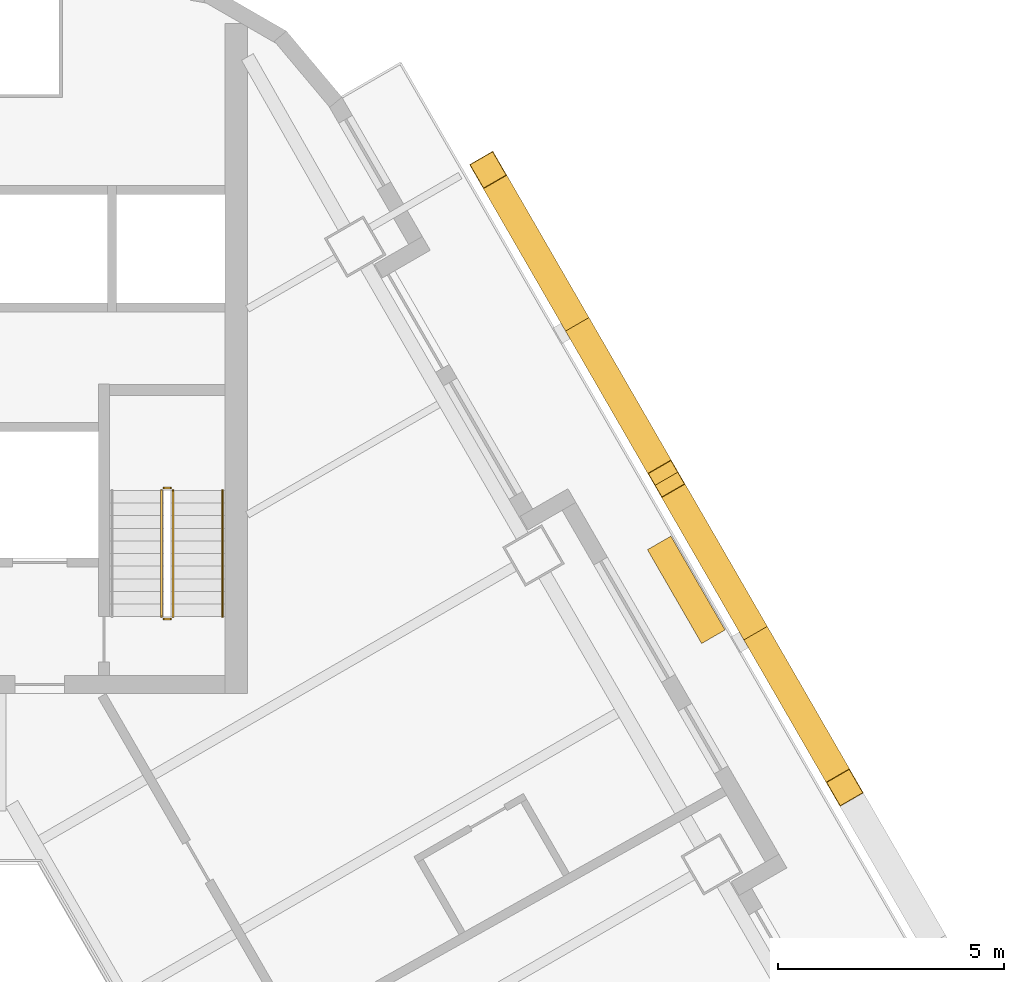
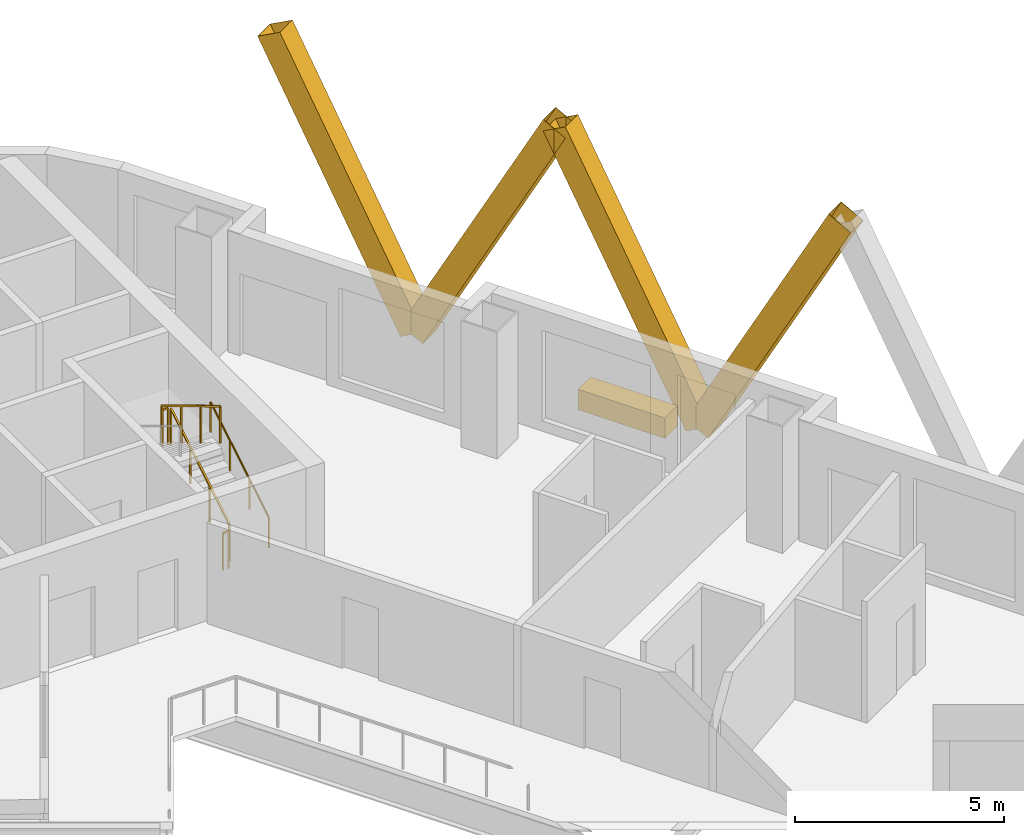
# One storey, part 14 of 14: 5 railings, 4 shading devices, 1 covering.
"""IFC4 building model written with IfcOpenShell, lengths in metres."""

from ifc_helpers import new_model, si_unit, direction, frame, origin, origin_2d, place, context, subcontext, project, spatial, rectangle, hollow_rectangle, circle, extrude, material, material_profile, profile_set, type_object, element, save


model = new_model("IFC4")

# Units and contexts
model_context = context("Model", 3, precision=1e-05, world=origin(), true_north=direction((0.0, 1.0)))
body_context = subcontext(model_context, "Body", "Model", "MODEL_VIEW")
ifc_project = project(units=[si_unit("LENGTHUNIT", "METRE"), si_unit("AREAUNIT", "SQUARE_METRE"), si_unit("VOLUMEUNIT", "CUBIC_METRE"), si_unit("PLANEANGLEUNIT", "RADIAN"), si_unit("MASSUNIT", "GRAM", prefix="KILO")], contexts=[model_context])

# Site, building, storey
site_placement = place(None, origin())
site = spatial("IfcSite", under=ifc_project, at=site_placement, CompositionType="ELEMENT")
building_placement = place(site_placement, origin())
building = spatial("IfcBuilding", under=site, at=building_placement, Name="Apuvela Tower Hotel", CompositionType="ELEMENT")
storey_placement = place(building_placement, frame((0.0, 0.0, 53.89990234375)))
storey = spatial("IfcBuildingStorey", under=building, at=storey_placement, Name="L10", CompositionType="ELEMENT", Elevation=53.89990234375)

# Railings
ifc_material_1 = material(Name="Steel S275 balustrade", Category="steel")
railing_type_1 = type_object("IfcRailingType", Name="COR-GUARD-1100", PredefinedType="GUARDRAIL", material=ifc_material_1)
railing_1_placement = place(storey_placement, frame((3.85009765625, 14.60009765625, 0.168212890625)))
element("IfcRailing", 1, at=railing_1_placement, inside=storey, type_object=railing_type_1, Name="L10 ST1 stair guard 1", PredefinedType="GUARDRAIL", context=body_context, shape_type="SweptSolid", body=[
    extrude(rectangle(XDim=0.048095703125, YDim=0.048095703125, at=origin_2d()), frame((0.0, 0.0, 1.076171875), z_axis=(0.0, 0.857222391501, 0.514946377315), x_axis=(-1.0, 0.0, 0.0)), (0.0, 0.0, 1.0), 3.26611328125),
    extrude(rectangle(XDim=0.0419921875, YDim=0.0419921875, at=origin_2d()), origin(), (0.0, 0.0, 1.0), 1.052001953125),
    extrude(rectangle(XDim=0.0419921875, YDim=0.0419921875, at=origin_2d()), frame((0.0, 0.933349609375, 0.560546875)), (0.0, 0.0, 1.0), 1.052001953125),
    extrude(rectangle(XDim=0.0419921875, YDim=0.0419921875, at=origin_2d()), frame((0.0, 1.866455078125, 1.121337890625)), (0.0, 0.0, 1.0), 1.052001953125),
    extrude(rectangle(XDim=0.0419921875, YDim=0.0419921875, at=origin_2d()), frame((0.0, 2.7998046875, 1.681884765625)), (0.0, 0.0, 1.0), 1.052001953125),
])
railing_2_placement = place(storey_placement, frame((3.800048828125, 17.449951171875, 1.85009765625)))
element("IfcRailing", 2, at=railing_2_placement, inside=storey, type_object=railing_type_1, Name="L10 ST1 stair guard 2", PredefinedType="GUARDRAIL", context=body_context, shape_type="SweptSolid", body=[
    extrude(rectangle(XDim=0.048095703125, YDim=0.048095703125, at=origin_2d()), frame((0.0, 0.0, 1.076171875), z_axis=(-1.0, 0.0, 0.0), x_axis=(0.0, -1.0, 0.0)), (0.0, 0.0, 1.0), 0.150146484375),
    extrude(rectangle(XDim=0.0419921875, YDim=0.0419921875, at=origin_2d()), origin(), (0.0, 0.0, 1.0), 1.052001953125),
    extrude(rectangle(XDim=0.0419921875, YDim=0.0419921875, at=origin_2d()), frame((-0.150146484375, 0.0, 0.0)), (0.0, 0.0, 1.0), 1.052001953125),
])
railing_3_placement = place(storey_placement, frame((3.60009765625, 17.39990234375, 2.018310546875)))
element("IfcRailing", 3, at=railing_3_placement, inside=storey, type_object=railing_type_1, Name="L10 ST1 stair guard 3", PredefinedType="GUARDRAIL", context=body_context, shape_type="SweptSolid", body=[
    extrude(rectangle(XDim=0.048095703125, YDim=0.048095703125, at=origin_2d()), frame((0.0, 0.0, 1.076171875), z_axis=(0.0, -0.857222391501, 0.514946377315), x_axis=(1.0, 0.0, 0.0)), (0.0, 0.0, 1.0), 3.26611328125),
    extrude(rectangle(XDim=0.0419921875, YDim=0.0419921875, at=origin_2d()), origin(), (0.0, 0.0, 1.0), 1.052001953125),
    extrude(rectangle(XDim=0.0419921875, YDim=0.0419921875, at=origin_2d()), frame((0.0, -0.933349609375, 0.560546875)), (0.0, 0.0, 1.0), 1.052001953125),
    extrude(rectangle(XDim=0.0419921875, YDim=0.0419921875, at=origin_2d()), frame((0.0, -1.866455078125, 1.121337890625)), (0.0, 0.0, 1.0), 1.052001953125),
    extrude(rectangle(XDim=0.0419921875, YDim=0.0419921875, at=origin_2d()), frame((0.0, -2.7998046875, 1.681884765625)), (0.0, 0.0, 1.0), 1.052001953125),
])
railing_4_placement = place(storey_placement, frame((3.800048828125, 14.550048828125, 0.0)))
element("IfcRailing", 4, at=railing_4_placement, inside=storey, type_object=railing_type_1, Name="L10 ST1 stair guard 4", PredefinedType="GUARDRAIL", context=body_context, shape_type="SweptSolid", body=[
    extrude(rectangle(XDim=0.048095703125, YDim=0.048095703125, at=origin_2d()), frame((0.0, 0.0, 1.076171875), z_axis=(-1.0, 0.0, 0.0), x_axis=(0.0, -1.0, 0.0)), (0.0, 0.0, 1.0), 0.150146484375),
    extrude(rectangle(XDim=0.0419921875, YDim=0.0419921875, at=origin_2d()), origin(), (0.0, 0.0, 1.0), 1.052001953125),
    extrude(rectangle(XDim=0.0419921875, YDim=0.0419921875, at=origin_2d()), frame((-0.150146484375, 0.0, 0.0)), (0.0, 0.0, 1.0), 1.052001953125),
])
ifc_material_2 = material(Name="Stainless steel 316 handrail", Category="steel")
railing_type_2 = type_object("IfcRailingType", Name="COR-HANDRAIL-900", PredefinedType="HANDRAIL", material=ifc_material_2)
railing_5_placement = place(storey_placement, frame((4.949951171875, 14.60009765625, 0.168212890625)))
element("IfcRailing", 5, at=railing_5_placement, inside=storey, type_object=railing_type_2, Name="L10 ST1 stair handrail 1", PredefinedType="HANDRAIL", context=body_context, shape_type="SweptSolid", body=[
    extrude(circle(Radius=0.02392578125, at=origin_2d()), frame((0.0, 0.0, 0.8759765625), z_axis=(0.0, 0.857222391501, 0.514946377315), x_axis=(-1.0, 0.0, 0.0)), (0.0, 0.0, 1.0), 3.26611328125),
    extrude(rectangle(XDim=0.0419921875, YDim=0.0419921875, at=origin_2d()), origin(), (0.0, 0.0, 1.0), 0.851806640625),
    extrude(rectangle(XDim=0.0419921875, YDim=0.0419921875, at=origin_2d()), frame((0.0, 0.933349609375, 0.560546875)), (0.0, 0.0, 1.0), 0.851806640625),
    extrude(rectangle(XDim=0.0419921875, YDim=0.0419921875, at=origin_2d()), frame((0.0, 1.866455078125, 1.121337890625)), (0.0, 0.0, 1.0), 0.851806640625),
    extrude(rectangle(XDim=0.0419921875, YDim=0.0419921875, at=origin_2d()), frame((0.0, 2.7998046875, 1.681884765625)), (0.0, 0.0, 1.0), 0.851806640625),
])

# Shading devices
ifc_material_3 = material(Name="Aluminium 6063-T6, black anodised", Category="aluminium")
ifc_material_profile = material_profile(ifc_material_3, hollow_rectangle(XDim=0.60009765625, YDim=0.699951171875, WallThickness=0.011962890625, at=origin_2d()), Name="AL BOX 700x600x12")
ifc_profile_set = profile_set([ifc_material_profile], Name="Aluminium 6063-T6, black anodised")
shading_device_type = type_object("IfcShadingDeviceType", Name="ENV-FIN-700x600", PredefinedType="USERDEFINED", material=ifc_profile_set)
for number, where, z_axis, x_axis, name in (
    (6, (16.757080078125, 14.23583984375, -0.099853515625), (0.235461085354, -0.407822092458, 0.882178677019), (0.866020906874, 0.500007788796, 0.0), "Lattice fin NE61"),
    (7, (16.757080078125, 14.23583984375, -0.099853515625), (-0.235463880167, 0.407797827568, 0.882189148067), (-0.866005453737, -0.500034552904, 0.0), "Lattice fin NE62"),
    (8, (12.80712890625, 21.077392578125, -0.099853515625), (0.235433593518, -0.407824887177, 0.882184722404), (0.866047669374, 0.499961432884, 0.0), "Lattice fin NE63"),
    (9, (12.80712890625, 21.077392578125, -0.099853515625), (-0.235461085354, 0.407822092458, 0.882178677019), (-0.866020906874, -0.500007788796, 0.0), "Lattice fin NE64"),
):
    element("IfcShadingDevice", number, at=place(storey_placement, frame(where, z_axis=z_axis, x_axis=x_axis)), inside=storey, type_object=shading_device_type, Name=name, ObjectType="FIN", PredefinedType="USERDEFINED", context=body_context, shape_type="SweptSolid", body=[
        extrude(hollow_rectangle(XDim=0.60009765625, YDim=0.699951171875, WallThickness=0.011962890625, at=origin_2d()), origin(), (0.0, 0.0, 1.0), 8.38818359375),
    ])

# Covering
ifc_material_4 = material(Name="Planting substrate and soil, planted")
covering_type = type_object("IfcCoveringType", Name="ENV-PLANTER-2400x600", PredefinedType="USERDEFINED", material=ifc_material_4)
covering_placement = place(storey_placement, frame((15.221435546875, 15.19580078125, 0.0), z_axis=(0.0, 0.0, 1.0), x_axis=(-0.5, 0.866025403784, 0.0)))
element("IfcCovering", 10, at=covering_placement, inside=storey, type_object=covering_type, Name="Planter NE4", ObjectType="PLANTER", PredefinedType="USERDEFINED", context=body_context, shape_type="SweptSolid", body=[
    extrude(rectangle(XDim=2.39990234375, YDim=0.60009765625, at=origin_2d()), origin(), (0.0, 0.0, 1.0), 0.60009765625),
])

save(model, "model.ifc")
